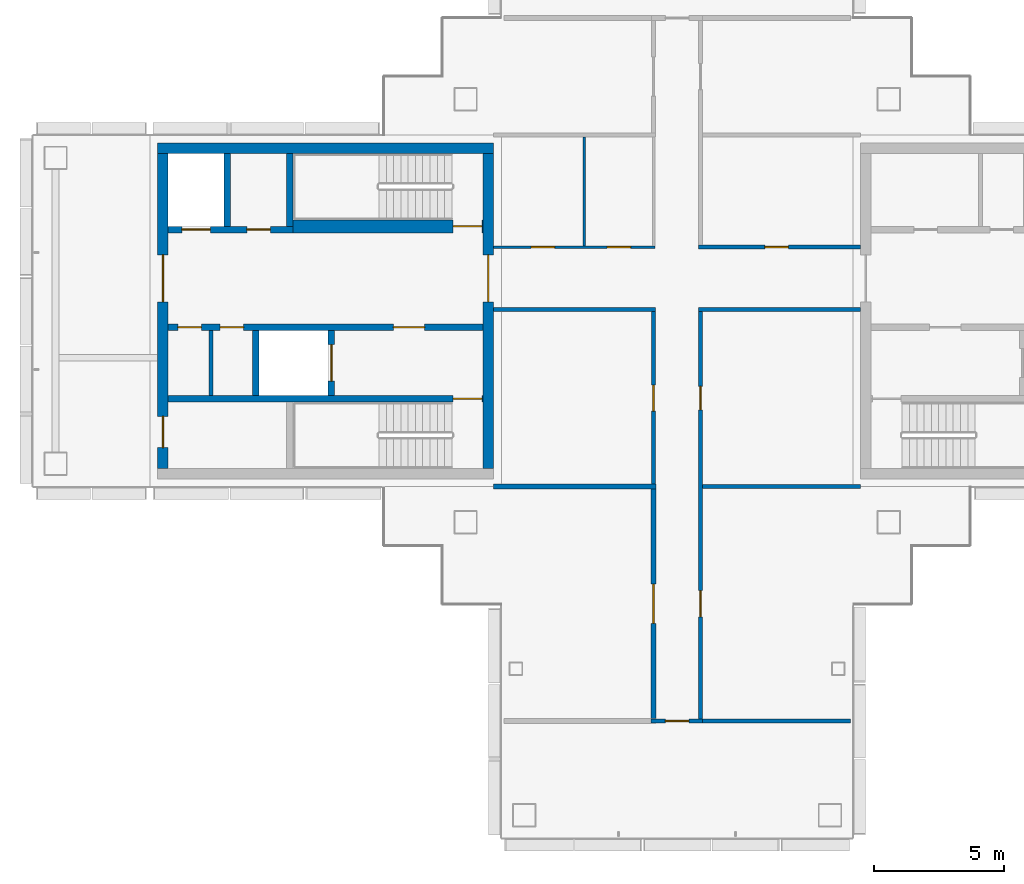
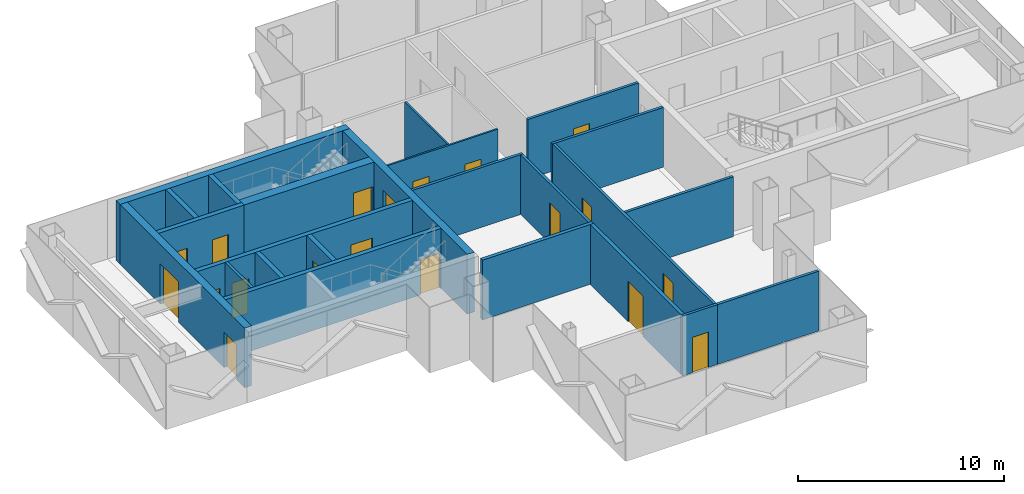
# One storey, part 9 of 17: 24 walls, 19 doors, 19 openings.
"""IFC4 building model written with IfcOpenShell, lengths in metres."""

from ifc_helpers import new_model, si_unit, direction, frame, frame_2d, origin, place, context, subcontext, project, spatial, rectangle, extrude, material, layer, layer_set, type_object, element, fill, save


model = new_model("IFC4")

# Units and contexts
model_context = context("Model", 3, precision=1e-05, world=origin(), true_north=direction((0.0, 1.0)))
body_context = subcontext(model_context, "Body", "Model", "MODEL_VIEW")
ifc_project = project(units=[si_unit("LENGTHUNIT", "METRE"), si_unit("AREAUNIT", "SQUARE_METRE"), si_unit("VOLUMEUNIT", "CUBIC_METRE"), si_unit("PLANEANGLEUNIT", "RADIAN"), si_unit("MASSUNIT", "GRAM", prefix="KILO")], contexts=[model_context])

# Site, building, storey
site_placement = place(None, origin())
site = spatial("IfcSite", under=ifc_project, at=site_placement, CompositionType="ELEMENT")
building_placement = place(site_placement, origin())
building = spatial("IfcBuilding", under=site, at=building_placement, Name="Shamsa Quay Exchange Towers", CompositionType="ELEMENT")
storey_placement = place(building_placement, frame((0.0, 0.0, 238.199951171875)))
storey = spatial("IfcBuildingStorey", under=building, at=storey_placement, Name="L57", CompositionType="ELEMENT", Elevation=238.199951171875)

# Wall, opening, door
ifc_material_1 = material(Name="Double-leaf gypsum board partition with acoustic insulation")
ifc_layer_1 = layer(ifc_material_1, 0.199951171875)
ifc_layer_set_1 = layer_set([ifc_layer_1], Name="Acoustic partition 200 mm EI 60")
wall_type_1 = type_object("IfcWallType", Name="Acoustic partition 200 mm EI 60", PredefinedType="PARTITIONING", material=ifc_layer_set_1)
wall_1_placement = place(storey_placement, frame((-34.650390625, -15.64990234375, 0.0), z_axis=(0.0, 0.0, 1.0), x_axis=(0.0, 1.0, 0.0)))
wall_1 = element("IfcWall", 1, at=wall_1_placement, inside=storey, type_object=wall_type_1, Name="Partition T1-R25-W11", PredefinedType="PARTITIONING", context=body_context, shape_type="SweptSolid", body=[
    extrude(rectangle(XDim=8.7998046875, YDim=0.199951171875, at=frame_2d((4.39990234375, 0.0))), origin(), (0.0, 0.0, 1.0), 3.550048828125),
])
opening_1_placement = place(wall_1_placement, frame((3.64990234375, 0.0, 0.0)))
opening_1 = element("IfcOpeningElement", 2, at=opening_1_placement, cuts=wall_1, Name="Opening T1-R25-D03", PredefinedType="OPENING", context=body_context, shape_type="SweptSolid", body=[
    extrude(rectangle(XDim=1.5, YDim=2.39990234375, at=frame_2d((0.75, 1.199951171875))), frame((0.0, 0.10986328125, 0.0), z_axis=(0.0, -1.0, 0.0), x_axis=(1.0, 0.0, 0.0)), (0.0, 0.0, 1.0), 0.219970703125),
])
ifc_material_2 = material(Name="Timber door leaf in a metal frame", Category="wood")
door_type_1 = type_object("IfcDoorType", Name="Door 1500x2400 FD30S pair", OperationType="NOTDEFINED", PredefinedType="DOOR", material=ifc_material_2)
door_1_placement = place(opening_1_placement, origin())
door_1 = element("IfcDoor", 3, at=door_1_placement, inside=storey, type_object=door_type_1, Name="Door T1-R25-D03", OperationType="DOUBLE_DOOR_SINGLE_SWING", OverallHeight=2.39990234375, OverallWidth=1.5, PredefinedType="DOOR", context=body_context, shape_type="SweptSolid", body=[
    extrude(rectangle(XDim=1.5, YDim=2.39990234375, at=frame_2d((0.75, 1.199951171875))), frame((0.0, 0.02490234375, 0.0), z_axis=(0.0, -1.0, 0.0), x_axis=(1.0, 0.0, 0.0)), (0.0, 0.0, 1.0), 0.050048828125),
])
fill(opening_1, door_1)

# Walls
wall_2_placement = place(storey_placement, frame((-40.800048828125, -6.75, 0.0)))
element("IfcWall", 4, at=wall_2_placement, inside=storey, type_object=wall_type_1, Name="Partition T1-R25-W17", PredefinedType="PARTITIONING", context=body_context, shape_type="SweptSolid", body=[
    extrude(rectangle(XDim=6.249755859375, YDim=0.199951171875, at=frame_2d((3.125, 0.0))), origin(), (0.0, 0.0, 1.0), 3.550048828125),
])
ifc_material_3 = material(Name="Concrete C60/75", Category="concrete")
ifc_layer_2 = layer(ifc_material_3, 0.39990234375)
ifc_layer_set_2 = layer_set([ifc_layer_2], Name="CORE WALL 400 C60/75")
wall_type_2 = type_object("IfcWallType", Name="CORE WALL 400 C60/75", PredefinedType="SHEAR", material=ifc_layer_set_2)
wall_3_placement = place(storey_placement, frame((-40.800048828125, 6.25, 0.0), z_axis=(0.0, 0.0, 1.0), x_axis=(-1.0, 0.0, 0.0)))
element("IfcWall", 5, at=wall_3_placement, inside=storey, type_object=wall_type_2, Name="Core wall T1B-R25-PN", PredefinedType="SHEAR", context=body_context, shape_type="SweptSolid", body=[
    extrude(rectangle(XDim=12.89990234375, YDim=0.39990234375, at=frame_2d((6.449951171875, 0.0))), origin(), (0.0, 0.0, 1.0), 3.550048828125),
])

# Wall, opening, door
wall_4_placement = place(storey_placement, frame((-41.0, -6.050048828125, 0.0), z_axis=(0.0, 0.0, 1.0), x_axis=(0.0, 1.0, 0.0)))
wall_4 = element("IfcWall", 6, at=wall_4_placement, inside=storey, type_object=wall_type_2, Name="Core wall T1B-R25-PF", PredefinedType="SHEAR", context=body_context, shape_type="SweptSolid", body=[
    extrude(rectangle(XDim=12.10009765625, YDim=0.39990234375, at=frame_2d((6.050048828125, 0.0))), origin(), (0.0, 0.0, 1.0), 3.550048828125),
])
opening_2_placement = place(wall_4_placement, frame((6.39990234375, 0.0, 0.0)))
opening_2 = element("IfcOpeningElement", 7, at=opening_2_placement, cuts=wall_4, Name="Opening T1B-R25-LBD01", PredefinedType="OPENING", context=body_context, shape_type="SweptSolid", body=[
    extrude(rectangle(XDim=1.800048828125, YDim=2.39990234375, at=frame_2d((0.89990234375, 1.199951171875))), frame((0.0, 0.2099609375, 0.0), z_axis=(0.0, -1.0, 0.0), x_axis=(1.0, 0.0, 0.0)), (0.0, 0.0, 1.0), 0.419921875),
])
ifc_material_4 = material(Name="Steel, fire rated", Category="steel")
door_type_2 = type_object("IfcDoorType", Name="LIFT LOBBY DOOR PAIR 1800", OperationType="DOUBLE_DOOR_SINGLE_SWING", PredefinedType="DOOR", material=ifc_material_4)
door_2_placement = place(opening_2_placement, origin())
door_2 = element("IfcDoor", 8, at=door_2_placement, inside=storey, type_object=door_type_2, Name="T1B-R25-LBD01", OperationType="DOUBLE_DOOR_SINGLE_SWING", OverallHeight=2.39990234375, OverallWidth=1.800048828125, PredefinedType="DOOR", context=body_context, shape_type="SweptSolid", body=[
    extrude(rectangle(XDim=1.800048828125, YDim=2.39990234375, at=frame_2d((0.89990234375, 1.199951171875))), frame((0.0, 0.02490234375, 0.0), z_axis=(0.0, -1.0, 0.0), x_axis=(1.0, 0.0, 0.0)), (0.0, 0.0, 1.0), 0.050048828125),
])
fill(opening_2, door_2)

# Wall, openings, doors
wall_5_placement = place(storey_placement, frame((-53.5, -6.050048828125, 0.0), z_axis=(0.0, 0.0, 1.0), x_axis=(0.0, 1.0, 0.0)))
wall_5 = element("IfcWall", 9, at=wall_5_placement, inside=storey, type_object=wall_type_2, Name="Core wall T1B-R25-PB", PredefinedType="SHEAR", context=body_context, shape_type="SweptSolid", body=[
    extrude(rectangle(XDim=12.10009765625, YDim=0.39990234375, at=frame_2d((6.050048828125, 0.0))), origin(), (0.0, 0.0, 1.0), 3.550048828125),
])
opening_3_placement = place(wall_5_placement, frame((0.800048828125, 0.0, 0.0)))
opening_3 = element("IfcOpeningElement", 10, at=opening_3_placement, cuts=wall_5, Name="Opening T1B-R25-RD02", PredefinedType="OPENING", context=body_context, shape_type="SweptSolid", body=[
    extrude(rectangle(XDim=1.199951171875, YDim=2.10009765625, at=frame_2d((0.60009765625, 1.050048828125))), frame((0.0, 0.2099609375, 0.0), z_axis=(0.0, -1.0, 0.0), x_axis=(1.0, 0.0, 0.0)), (0.0, 0.0, 1.0), 0.419921875),
])
opening_4_placement = place(wall_5_placement, frame((6.39990234375, 0.0, 0.0)))
opening_4 = element("IfcOpeningElement", 11, at=opening_4_placement, cuts=wall_5, Name="Opening T1B-R25-LBD03", PredefinedType="OPENING", context=body_context, shape_type="SweptSolid", body=[
    extrude(rectangle(XDim=1.800048828125, YDim=2.39990234375, at=frame_2d((0.89990234375, 1.199951171875))), frame((0.0, 0.2099609375, 0.0), z_axis=(0.0, -1.0, 0.0), x_axis=(1.0, 0.0, 0.0)), (0.0, 0.0, 1.0), 0.419921875),
])
door_3_placement = place(opening_4_placement, origin())
door_3 = element("IfcDoor", 12, at=door_3_placement, inside=storey, type_object=door_type_2, Name="T1B-R25-LBD03", OperationType="DOUBLE_DOOR_SINGLE_SWING", OverallHeight=2.39990234375, OverallWidth=1.800048828125, PredefinedType="DOOR", context=body_context, shape_type="SweptSolid", body=[
    extrude(rectangle(XDim=1.800048828125, YDim=2.39990234375, at=frame_2d((0.89990234375, 1.199951171875))), frame((0.0, 0.02490234375, 0.0), z_axis=(0.0, -1.0, 0.0), x_axis=(1.0, 0.0, 0.0)), (0.0, 0.0, 1.0), 0.050048828125),
])
fill(opening_4, door_3)
door_type_3 = type_object("IfcDoorType", Name="RISER ACCESS DOOR 1200", OperationType="SINGLE_SWING_LEFT", PredefinedType="DOOR", material=ifc_material_4)
door_4_placement = place(opening_3_placement, origin())
door_4 = element("IfcDoor", 13, at=door_4_placement, inside=storey, type_object=door_type_3, Name="T1B-R25-RD02", OperationType="SINGLE_SWING_LEFT", OverallHeight=2.10009765625, OverallWidth=1.199951171875, PredefinedType="DOOR", context=body_context, shape_type="SweptSolid", body=[
    extrude(rectangle(XDim=1.199951171875, YDim=2.10009765625, at=frame_2d((0.60009765625, 1.050048828125))), frame((0.0, 0.02490234375, 0.0), z_axis=(0.0, -1.0, 0.0), x_axis=(1.0, 0.0, 0.0)), (0.0, 0.0, 1.0), 0.050048828125),
])
fill(opening_3, door_4)

# Wall
ifc_material_5 = material(Name="Gypsum board on steel studs, EI 60", Category="steel")
ifc_layer_3 = layer(ifc_material_5, 0.14990234375)
ifc_layer_set_3 = layer_set([ifc_layer_3], Name="FIRE PARTITION 150")
wall_type_3 = type_object("IfcWallType", Name="FIRE PARTITION 150", PredefinedType="PARTITIONING", material=ifc_layer_set_3)
wall_6_placement = place(storey_placement, frame((-51.64990234375, -3.25, 0.0), z_axis=(0.0, 0.0, 1.0), x_axis=(0.0, 1.0, 0.0)))
element("IfcWall", 14, at=wall_6_placement, inside=storey, type_object=wall_type_3, Name="Partition T1B-R25-EC0", PredefinedType="PARTITIONING", context=body_context, shape_type="SweptSolid", body=[
    extrude(rectangle(XDim=2.5, YDim=0.14990234375, at=frame_2d((1.25, 0.0))), origin(), (0.0, 0.0, 1.0), 3.550048828125),
])

# Wall, openings, doors
ifc_material_6 = material(Name="Gypsum board partition on metal studs")
ifc_layer_4 = layer(ifc_material_6, 0.10009765625)
ifc_layer_set_4 = layer_set([ifc_layer_4], Name="Partition 100 mm NOT RATED")
wall_type_4 = type_object("IfcWallType", Name="Partition 100 mm NOT RATED", PredefinedType="PARTITIONING", material=ifc_layer_set_4)
wall_7_placement = place(storey_placement, frame((-40.800048828125, 2.4501953125, 0.0)))
wall_7 = element("IfcWall", 15, at=wall_7_placement, inside=storey, type_object=wall_type_4, Name="Partition T1-R25-W06", PredefinedType="PARTITIONING", context=body_context, shape_type="SweptSolid", body=[
    extrude(rectangle(XDim=6.19970703125, YDim=0.10009765625, at=frame_2d((3.099853515625, 0.0))), origin(), (0.0, 0.0, 1.0), 3.550048828125),
])
opening_5_placement = place(wall_7_placement, frame((1.44384765625, 0.0, 0.0)))
opening_5 = element("IfcOpeningElement", 16, at=opening_5_placement, cuts=wall_7, Name="Opening T1-R25-D01", PredefinedType="OPENING", context=body_context, shape_type="SweptSolid", body=[
    extrude(rectangle(XDim=0.89990234375, YDim=2.10009765625, at=frame_2d((0.449951171875, 1.050048828125))), frame((0.0, 0.06005859375, 0.0), z_axis=(0.0, -1.0, 0.0), x_axis=(1.0, 0.0, 0.0)), (0.0, 0.0, 1.0), 0.1201171875),
])
opening_6_placement = place(wall_7_placement, frame((4.368408203125, 0.0, 0.0)))
opening_6 = element("IfcOpeningElement", 17, at=opening_6_placement, cuts=wall_7, Name="Opening T1-R25-D02", PredefinedType="OPENING", context=body_context, shape_type="SweptSolid", body=[
    extrude(rectangle(XDim=0.89990234375, YDim=2.10009765625, at=frame_2d((0.449951171875, 1.050048828125))), frame((0.0, 0.06005859375, 0.0), z_axis=(0.0, -1.0, 0.0), x_axis=(1.0, 0.0, 0.0)), (0.0, 0.0, 1.0), 0.1201171875),
])
door_type_4 = type_object("IfcDoorType", Name="Door 900x2100 NOT RATED", OperationType="NOTDEFINED", PredefinedType="DOOR", material=ifc_material_2)
door_5_placement = place(opening_5_placement, origin())
door_5 = element("IfcDoor", 18, at=door_5_placement, inside=storey, type_object=door_type_4, Name="Door T1-R25-D01", OperationType="SINGLE_SWING_LEFT", OverallHeight=2.10009765625, OverallWidth=0.89990234375, PredefinedType="DOOR", context=body_context, shape_type="SweptSolid", body=[
    extrude(rectangle(XDim=0.89990234375, YDim=2.10009765625, at=frame_2d((0.449951171875, 1.050048828125))), frame((0.0, 0.02490234375, 0.0), z_axis=(0.0, -1.0, 0.0), x_axis=(1.0, 0.0, 0.0)), (0.0, 0.0, 1.0), 0.050048828125),
])
fill(opening_5, door_5)
door_6_placement = place(opening_6_placement, origin())
door_6 = element("IfcDoor", 19, at=door_6_placement, inside=storey, type_object=door_type_4, Name="Door T1-R25-D02", OperationType="SINGLE_SWING_LEFT", OverallHeight=2.10009765625, OverallWidth=0.89990234375, PredefinedType="DOOR", context=body_context, shape_type="SweptSolid", body=[
    extrude(rectangle(XDim=0.89990234375, YDim=2.10009765625, at=frame_2d((0.449951171875, 1.050048828125))), frame((0.0, 0.02490234375, 0.0), z_axis=(0.0, -1.0, 0.0), x_axis=(1.0, 0.0, 0.0)), (0.0, 0.0, 1.0), 0.050048828125),
])
fill(opening_6, door_6)

# Wall
wall_8_placement = place(storey_placement, frame((-37.3125, 2.500244140625, 0.0), z_axis=(0.0, 0.0, 1.0), x_axis=(0.0, 1.0, 0.0)))
element("IfcWall", 20, at=wall_8_placement, inside=storey, type_object=wall_type_4, Name="Partition T1-R25-W16", PredefinedType="PARTITIONING", context=body_context, shape_type="SweptSolid", body=[
    extrude(rectangle(XDim=4.1748046875, YDim=0.10009765625, at=frame_2d((2.08740234375, 0.0))), origin(), (0.0, 0.0, 1.0), 3.550048828125),
])

# Wall, openings, doors
ifc_layer_5 = layer(ifc_material_6, 0.14990234375)
ifc_layer_set_5 = layer_set([ifc_layer_5], Name="Partition 150 mm EI 60")
wall_type_5 = type_object("IfcWallType", Name="Partition 150 mm EI 60", PredefinedType="PARTITIONING", material=ifc_layer_set_5)
wall_9_placement = place(storey_placement, frame((-32.849609375, -0.025146484375, 0.0), z_axis=(0.0, 0.0, 1.0), x_axis=(0.0, -1.0, 0.0)))
wall_9 = element("IfcWall", 21, at=wall_9_placement, inside=storey, type_object=wall_type_5, Name="Partition T1-R25-W02", PredefinedType="PARTITIONING", context=body_context, shape_type="SweptSolid", body=[
    extrude(rectangle(XDim=15.64990234375, YDim=0.14990234375, at=frame_2d((7.824951171875, 0.0))), origin(), (0.0, 0.0, 1.0), 3.550048828125),
])
opening_7_placement = place(wall_9_placement, frame((2.875, 0.0, 0.0)))
opening_7 = element("IfcOpeningElement", 22, at=opening_7_placement, cuts=wall_9, Name="Opening T1-R25-D08", PredefinedType="OPENING", context=body_context, shape_type="SweptSolid", body=[
    extrude(rectangle(XDim=0.89990234375, YDim=2.10009765625, at=frame_2d((0.449951171875, 1.050048828125))), frame((0.0, 0.0849609375, 0.0), z_axis=(0.0, -1.0, 0.0), x_axis=(1.0, 0.0, 0.0)), (0.0, 0.0, 1.0), 0.169921875),
])
opening_8_placement = place(wall_9_placement, frame((10.724853515625, 0.0, 0.0)))
opening_8 = element("IfcOpeningElement", 23, at=opening_8_placement, cuts=wall_9, Name="Opening T1-R25-D09", PredefinedType="OPENING", context=body_context, shape_type="SweptSolid", body=[
    extrude(rectangle(XDim=1.0, YDim=2.39990234375, at=frame_2d((0.5, 1.199951171875))), frame((0.0, 0.0849609375, 0.0), z_axis=(0.0, -1.0, 0.0), x_axis=(1.0, 0.0, 0.0)), (0.0, 0.0, 1.0), 0.169921875),
])
door_type_5 = type_object("IfcDoorType", Name="Door 1000x2400 FD30S", OperationType="NOTDEFINED", PredefinedType="DOOR", material=ifc_material_2)
door_7_placement = place(opening_8_placement, origin())
door_7 = element("IfcDoor", 24, at=door_7_placement, inside=storey, type_object=door_type_5, Name="Door T1-R25-D09", OperationType="SINGLE_SWING_LEFT", OverallHeight=2.39990234375, OverallWidth=1.0, PredefinedType="DOOR", context=body_context, shape_type="SweptSolid", body=[
    extrude(rectangle(XDim=1.0, YDim=2.39990234375, at=frame_2d((0.5, 1.199951171875))), frame((0.0, 0.02490234375, 0.0), z_axis=(0.0, -1.0, 0.0), x_axis=(1.0, 0.0, 0.0)), (0.0, 0.0, 1.0), 0.050048828125),
])
fill(opening_8, door_7)
door_type_6 = type_object("IfcDoorType", Name="Door 900x2100 FD30S", OperationType="NOTDEFINED", PredefinedType="DOOR", material=ifc_material_2)
door_8_placement = place(opening_7_placement, origin())
door_8 = element("IfcDoor", 25, at=door_8_placement, inside=storey, type_object=door_type_6, Name="Door T1-R25-D08", OperationType="SINGLE_SWING_RIGHT", OverallHeight=2.10009765625, OverallWidth=0.89990234375, PredefinedType="DOOR", context=body_context, shape_type="SweptSolid", body=[
    extrude(rectangle(XDim=0.89990234375, YDim=2.10009765625, at=frame_2d((0.449951171875, 1.050048828125))), frame((0.0, 0.02490234375, 0.0), z_axis=(0.0, -1.0, 0.0), x_axis=(1.0, 0.0, 0.0)), (0.0, 0.0, 1.0), 0.050048828125),
])
fill(opening_7, door_8)

# Wall, opening, door
wall_10_placement = place(storey_placement, frame((-32.924560546875, 2.4501953125, 0.0)))
wall_10 = element("IfcWall", 26, at=wall_10_placement, inside=storey, type_object=wall_type_5, Name="Partition T1-R25-W03", PredefinedType="PARTITIONING", context=body_context, shape_type="SweptSolid", body=[
    extrude(rectangle(XDim=6.224609375, YDim=0.14990234375, at=frame_2d((3.1123046875, 0.0))), origin(), (0.0, 0.0, 1.0), 3.550048828125),
])
opening_9_placement = place(wall_10_placement, frame((2.5498046875, 0.0, 0.0)))
opening_9 = element("IfcOpeningElement", 27, at=opening_9_placement, cuts=wall_10, Name="Opening T1-R25-D10", PredefinedType="OPENING", context=body_context, shape_type="SweptSolid", body=[
    extrude(rectangle(XDim=0.89990234375, YDim=2.10009765625, at=frame_2d((0.449951171875, 1.050048828125))), frame((0.0, 0.0849609375, 0.0), z_axis=(0.0, -1.0, 0.0), x_axis=(1.0, 0.0, 0.0)), (0.0, 0.0, 1.0), 0.169921875),
])
door_9_placement = place(opening_9_placement, origin())
door_9 = element("IfcDoor", 28, at=door_9_placement, inside=storey, type_object=door_type_6, Name="Door T1-R25-D10", OperationType="SINGLE_SWING_RIGHT", OverallHeight=2.10009765625, OverallWidth=0.89990234375, PredefinedType="DOOR", context=body_context, shape_type="SweptSolid", body=[
    extrude(rectangle(XDim=0.89990234375, YDim=2.10009765625, at=frame_2d((0.449951171875, 1.050048828125))), frame((0.0, 0.02490234375, 0.0), z_axis=(0.0, -1.0, 0.0), x_axis=(1.0, 0.0, 0.0)), (0.0, 0.0, 1.0), 0.050048828125),
])
fill(opening_9, door_9)

# Walls
for number, where, z_axis, x_axis, name in (
    (29, (-26.699951171875, 0.0498046875, 0.0), (0.0, 0.0, 1.0), (-1.0, 0.0, 0.0), "Partition T1-R25-W04"),
    (30, (-34.575439453125, 0.0498046875, 0.0), (0.0, 0.0, 1.0), (-1.0, 0.0, 0.0), "Partition T1-R25-W05"),
):
    element("IfcWall", number, at=place(storey_placement, frame(where, z_axis=z_axis, x_axis=x_axis)), inside=storey, type_object=wall_type_5, Name=name, PredefinedType="PARTITIONING", context=body_context, shape_type="SweptSolid", body=[
        extrude(rectangle(XDim=6.224609375, YDim=0.14990234375, at=frame_2d((3.1123046875, 0.0))), origin(), (0.0, 0.0, 1.0), 3.550048828125),
    ])

# Wall, opening, door
wall_11_placement = place(storey_placement, frame((-34.650390625, -6.64990234375, 0.0), z_axis=(0.0, 0.0, 1.0), x_axis=(0.0, 1.0, 0.0)))
wall_11 = element("IfcWall", 31, at=wall_11_placement, inside=storey, type_object=wall_type_5, Name="Partition T1-R25-W08", PredefinedType="PARTITIONING", context=body_context, shape_type="SweptSolid", body=[
    extrude(rectangle(XDim=6.624755859375, YDim=0.14990234375, at=frame_2d((3.3125, 0.0))), origin(), (0.0, 0.0, 1.0), 3.550048828125),
])
opening_10_placement = place(wall_11_placement, frame((2.7998046875, 0.0, 0.0)))
opening_10 = element("IfcOpeningElement", 32, at=opening_10_placement, cuts=wall_11, Name="Opening T1-R25-D04", PredefinedType="OPENING", context=body_context, shape_type="SweptSolid", body=[
    extrude(rectangle(XDim=1.0, YDim=2.39990234375, at=frame_2d((0.5, 1.199951171875))), frame((0.0, 0.0849609375, 0.0), z_axis=(0.0, -1.0, 0.0), x_axis=(1.0, 0.0, 0.0)), (0.0, 0.0, 1.0), 0.169921875),
])
door_10_placement = place(opening_10_placement, origin())
door_10 = element("IfcDoor", 33, at=door_10_placement, inside=storey, type_object=door_type_5, Name="Door T1-R25-D04", OperationType="SINGLE_SWING_LEFT", OverallHeight=2.39990234375, OverallWidth=1.0, PredefinedType="DOOR", context=body_context, shape_type="SweptSolid", body=[
    extrude(rectangle(XDim=1.0, YDim=2.39990234375, at=frame_2d((0.5, 1.199951171875))), frame((0.0, 0.02490234375, 0.0), z_axis=(0.0, -1.0, 0.0), x_axis=(1.0, 0.0, 0.0)), (0.0, 0.0, 1.0), 0.050048828125),
])
fill(opening_10, door_10)

wall_12_placement = place(storey_placement, frame((-32.774658203125, -15.75, 0.0), z_axis=(0.0, 0.0, 1.0), x_axis=(-1.0, 0.0, 0.0)))
wall_12 = element("IfcWall", 34, at=wall_12_placement, inside=storey, type_object=wall_type_5, Name="Partition T1-R25-W12", PredefinedType="PARTITIONING", context=body_context, shape_type="SweptSolid", body=[
    extrude(rectangle(XDim=1.975830078125, YDim=0.14990234375, at=frame_2d((0.98779296875, 0.0))), origin(), (0.0, 0.0, 1.0), 3.550048828125),
])
opening_11_placement = place(wall_12_placement, frame((0.525390625, 0.0, 0.0)))
opening_11 = element("IfcOpeningElement", 35, at=opening_11_placement, cuts=wall_12, Name="Opening T1-R25-D07", PredefinedType="OPENING", context=body_context, shape_type="SweptSolid", body=[
    extrude(rectangle(XDim=0.89990234375, YDim=2.10009765625, at=frame_2d((0.449951171875, 1.050048828125))), frame((0.0, 0.0849609375, 0.0), z_axis=(0.0, -1.0, 0.0), x_axis=(1.0, 0.0, 0.0)), (0.0, 0.0, 1.0), 0.169921875),
])
door_11_placement = place(opening_11_placement, origin())
door_11 = element("IfcDoor", 36, at=door_11_placement, inside=storey, type_object=door_type_6, Name="Door T1-R25-D07", OperationType="SINGLE_SWING_LEFT", OverallHeight=2.10009765625, OverallWidth=0.89990234375, PredefinedType="DOOR", context=body_context, shape_type="SweptSolid", body=[
    extrude(rectangle(XDim=0.89990234375, YDim=2.10009765625, at=frame_2d((0.449951171875, 1.050048828125))), frame((0.0, 0.02490234375, 0.0), z_axis=(0.0, -1.0, 0.0), x_axis=(1.0, 0.0, 0.0)), (0.0, 0.0, 1.0), 0.050048828125),
])
fill(opening_11, door_11)

# Walls
wall_13_placement = place(storey_placement, frame((-32.774658203125, -6.75, 0.0)))
element("IfcWall", 37, at=wall_13_placement, inside=storey, type_object=wall_type_5, Name="Partition T1-R25-W15", PredefinedType="PARTITIONING", context=body_context, shape_type="SweptSolid", body=[
    extrude(rectangle(XDim=6.07470703125, YDim=0.14990234375, at=frame_2d((3.037353515625, 0.0))), origin(), (0.0, 0.0, 1.0), 3.550048828125),
])
wall_14_placement = place(storey_placement, frame((-32.924560546875, -15.75, 0.0)))
element("IfcWall", 38, at=wall_14_placement, inside=storey, type_object=wall_type_5, Name="Partition T1-R25-W20", PredefinedType="PARTITIONING", context=body_context, shape_type="SweptSolid", body=[
    extrude(rectangle(XDim=5.82958984375, YDim=0.14990234375, at=frame_2d((2.914794921875, 0.0))), origin(), (0.0, 0.0, 1.0), 3.550048828125),
])

# Wall, opening, door
ifc_material_7 = material(Name="Concrete C50/60", Category="concrete")
ifc_layer_6 = layer(ifc_material_7, 0.25)
ifc_layer_set_6 = layer_set([ifc_layer_6], Name="SHAFT WALL 250 C50/60")
wall_type_6 = type_object("IfcWallType", Name="SHAFT WALL 250 C50/60", PredefinedType="SHEAR", material=ifc_layer_set_6)
wall_15_placement = place(storey_placement, frame((-41.199951171875, -3.375, 0.0), z_axis=(0.0, 0.0, 1.0), x_axis=(-1.0, 0.0, 0.0)))
wall_15 = element("IfcWall", 39, at=wall_15_placement, inside=storey, type_object=wall_type_6, Name="Shaft wall T1B-R25-STL", PredefinedType="SHEAR", context=body_context, shape_type="SweptSolid", body=[
    extrude(rectangle(XDim=12.10009765625, YDim=0.25, at=frame_2d((6.050048828125, 0.0))), origin(), (0.0, 0.0, 1.0), 3.550048828125),
])
opening_12_placement = place(wall_15_placement, frame((0.050048828125, 0.0, 0.0)))
opening_12 = element("IfcOpeningElement", 40, at=opening_12_placement, cuts=wall_15, Name="Opening T1B-R25-SD04", PredefinedType="OPENING", context=body_context, shape_type="SweptSolid", body=[
    extrude(rectangle(XDim=1.10009765625, YDim=2.10009765625, at=frame_2d((0.550048828125, 1.050048828125))), frame((0.0, 0.135009765625, 0.0), z_axis=(0.0, -1.0, 0.0), x_axis=(1.0, 0.0, 0.0)), (0.0, 0.0, 1.0), 0.27001953125),
])
door_type_7 = type_object("IfcDoorType", Name="STAIR DOOR 1100", OperationType="SINGLE_SWING_LEFT", PredefinedType="DOOR", material=ifc_material_4)
door_12_placement = place(opening_12_placement, origin())
door_12 = element("IfcDoor", 41, at=door_12_placement, inside=storey, type_object=door_type_7, Name="T1B-R25-SD04", OperationType="SINGLE_SWING_LEFT", OverallHeight=2.10009765625, OverallWidth=1.10009765625, PredefinedType="DOOR", context=body_context, shape_type="SweptSolid", body=[
    extrude(rectangle(XDim=1.10009765625, YDim=2.10009765625, at=frame_2d((0.550048828125, 1.050048828125))), frame((0.0, 0.02490234375, 0.0), z_axis=(0.0, -1.0, 0.0), x_axis=(1.0, 0.0, 0.0)), (0.0, 0.0, 1.0), 0.050048828125),
])
fill(opening_12, door_12)

# Wall, openings, doors
wall_16_placement = place(storey_placement, frame((-41.199951171875, -0.625, 0.0), z_axis=(0.0, 0.0, 1.0), x_axis=(-1.0, 0.0, 0.0)))
wall_16 = element("IfcWall", 42, at=wall_16_placement, inside=storey, type_object=wall_type_6, Name="Shaft wall T1B-R25-B", PredefinedType="SHEAR", context=body_context, shape_type="SweptSolid", body=[
    extrude(rectangle(XDim=12.10009765625, YDim=0.25, at=frame_2d((6.050048828125, 0.0))), origin(), (0.0, 0.0, 1.0), 3.550048828125),
])
opening_13_placement = place(wall_16_placement, frame((2.25, 0.0, 0.0)))
opening_13 = element("IfcOpeningElement", 43, at=opening_13_placement, cuts=wall_16, Name="Opening T1B-R25-FD05", PredefinedType="OPENING", context=body_context, shape_type="SweptSolid", body=[
    extrude(rectangle(XDim=1.199951171875, YDim=2.10009765625, at=frame_2d((0.60009765625, 1.050048828125))), frame((0.0, 0.135009765625, 0.0), z_axis=(0.0, -1.0, 0.0), x_axis=(1.0, 0.0, 0.0)), (0.0, 0.0, 1.0), 0.27001953125),
])
opening_14_placement = place(wall_16_placement, frame((9.199951171875, 0.0, 0.0)))
opening_14 = element("IfcOpeningElement", 44, at=opening_14_placement, cuts=wall_16, Name="Opening T1B-R25-SV06", PredefinedType="OPENING", context=body_context, shape_type="SweptSolid", body=[
    extrude(rectangle(XDim=0.89990234375, YDim=2.10009765625, at=frame_2d((0.449951171875, 1.050048828125))), frame((0.0, 0.135009765625, 0.0), z_axis=(0.0, -1.0, 0.0), x_axis=(1.0, 0.0, 0.0)), (0.0, 0.0, 1.0), 0.27001953125),
])
opening_15_placement = place(wall_16_placement, frame((10.824951171875, 0.0, 0.0)))
opening_15 = element("IfcOpeningElement", 45, at=opening_15_placement, cuts=wall_16, Name="Opening T1B-R25-SV07", PredefinedType="OPENING", context=body_context, shape_type="SweptSolid", body=[
    extrude(rectangle(XDim=0.89990234375, YDim=2.10009765625, at=frame_2d((0.449951171875, 1.050048828125))), frame((0.0, 0.135009765625, 0.0), z_axis=(0.0, -1.0, 0.0), x_axis=(1.0, 0.0, 0.0)), (0.0, 0.0, 1.0), 0.27001953125),
])
door_type_8 = type_object("IfcDoorType", Name="FIRE SERVICE LOBBY DOOR 1200", OperationType="SINGLE_SWING_LEFT", PredefinedType="DOOR", material=ifc_material_4)
door_13_placement = place(opening_13_placement, origin())
door_13 = element("IfcDoor", 46, at=door_13_placement, inside=storey, type_object=door_type_8, Name="T1B-R25-FD05", OperationType="SINGLE_SWING_LEFT", OverallHeight=2.10009765625, OverallWidth=1.199951171875, PredefinedType="DOOR", context=body_context, shape_type="SweptSolid", body=[
    extrude(rectangle(XDim=1.199951171875, YDim=2.10009765625, at=frame_2d((0.60009765625, 1.050048828125))), frame((0.0, 0.02490234375, 0.0), z_axis=(0.0, -1.0, 0.0), x_axis=(1.0, 0.0, 0.0)), (0.0, 0.0, 1.0), 0.050048828125),
])
fill(opening_13, door_13)
door_type_9 = type_object("IfcDoorType", Name="SERVICE ROOM DOOR 900", OperationType="SINGLE_SWING_LEFT", PredefinedType="DOOR", material=ifc_material_4)
door_14_placement = place(opening_14_placement, origin())
door_14 = element("IfcDoor", 47, at=door_14_placement, inside=storey, type_object=door_type_9, Name="T1B-R25-SV06", OperationType="SINGLE_SWING_RIGHT", OverallHeight=2.10009765625, OverallWidth=0.89990234375, PredefinedType="DOOR", context=body_context, shape_type="SweptSolid", body=[
    extrude(rectangle(XDim=0.89990234375, YDim=2.10009765625, at=frame_2d((0.449951171875, 1.050048828125))), frame((0.0, 0.02490234375, 0.0), z_axis=(0.0, -1.0, 0.0), x_axis=(1.0, 0.0, 0.0)), (0.0, 0.0, 1.0), 0.050048828125),
])
fill(opening_14, door_14)
door_15_placement = place(opening_15_placement, origin())
door_15 = element("IfcDoor", 48, at=door_15_placement, inside=storey, type_object=door_type_9, Name="T1B-R25-SV07", OperationType="SINGLE_SWING_RIGHT", OverallHeight=2.10009765625, OverallWidth=0.89990234375, PredefinedType="DOOR", context=body_context, shape_type="SweptSolid", body=[
    extrude(rectangle(XDim=0.89990234375, YDim=2.10009765625, at=frame_2d((0.449951171875, 1.050048828125))), frame((0.0, 0.02490234375, 0.0), z_axis=(0.0, -1.0, 0.0), x_axis=(1.0, 0.0, 0.0)), (0.0, 0.0, 1.0), 0.050048828125),
])
fill(opening_15, door_15)

# Wall, opening, door
wall_17_placement = place(storey_placement, frame((-47.02490234375, -3.25, 0.0), z_axis=(0.0, 0.0, 1.0), x_axis=(0.0, 1.0, 0.0)))
wall_17 = element("IfcWall", 49, at=wall_17_placement, inside=storey, type_object=wall_type_6, Name="Shaft wall T1B-R25-FFF", PredefinedType="SHEAR", context=body_context, shape_type="SweptSolid", body=[
    extrude(rectangle(XDim=2.5, YDim=0.25, at=frame_2d((1.25, 0.0))), origin(), (0.0, 0.0, 1.0), 3.550048828125),
])
opening_16_placement = place(wall_17_placement, frame((0.550048828125, 0.0, 0.0)))
opening_16 = element("IfcOpeningElement", 50, at=opening_16_placement, cuts=wall_17, Name="Opening T1B-R25-LDG08", PredefinedType="OPENING", context=body_context, shape_type="SweptSolid", body=[
    extrude(rectangle(XDim=1.39990234375, YDim=2.39990234375, at=frame_2d((0.699951171875, 1.199951171875))), frame((0.0, 0.135009765625, 0.0), z_axis=(0.0, -1.0, 0.0), x_axis=(1.0, 0.0, 0.0)), (0.0, 0.0, 1.0), 0.27001953125),
])
door_type_10 = type_object("IfcDoorType", Name="GOODS LIFT LANDING DOOR 1400", OperationType="SLIDING_TO_LEFT", PredefinedType="DOOR", material=ifc_material_4)
door_16_placement = place(opening_16_placement, origin())
door_16 = element("IfcDoor", 51, at=door_16_placement, inside=storey, type_object=door_type_10, Name="T1B-R25-LDG08", OperationType="SLIDING_TO_LEFT", OverallHeight=2.39990234375, OverallWidth=1.39990234375, PredefinedType="DOOR", context=body_context, shape_type="SweptSolid", body=[
    extrude(rectangle(XDim=1.39990234375, YDim=2.39990234375, at=frame_2d((0.699951171875, 1.199951171875))), frame((0.0, 0.02490234375, 0.0), z_axis=(0.0, -1.0, 0.0), x_axis=(1.0, 0.0, 0.0)), (0.0, 0.0, 1.0), 0.050048828125),
])
fill(opening_16, door_16)

# Wall
wall_18_placement = place(storey_placement, frame((-49.925048828125, -3.25, 0.0), z_axis=(0.0, 0.0, 1.0), x_axis=(0.0, 1.0, 0.0)))
element("IfcWall", 52, at=wall_18_placement, inside=storey, type_object=wall_type_6, Name="Shaft wall T1B-R25-FFB", PredefinedType="SHEAR", context=body_context, shape_type="SweptSolid", body=[
    extrude(rectangle(XDim=2.5, YDim=0.25, at=frame_2d((1.25, 0.0))), origin(), (0.0, 0.0, 1.0), 3.550048828125),
])

# Wall, openings, doors
wall_19_placement = place(storey_placement, frame((-53.300048828125, 3.125, 0.0)))
wall_19 = element("IfcWall", 53, at=wall_19_placement, inside=storey, type_object=wall_type_6, Name="Shaft wall T1B-R25-N2", PredefinedType="SHEAR", context=body_context, shape_type="SweptSolid", body=[
    extrude(rectangle(XDim=4.800048828125, YDim=0.25, at=frame_2d((2.39990234375, 0.0))), origin(), (0.0, 0.0, 1.0), 3.550048828125),
])
opening_17_placement = place(wall_19_placement, frame((0.52490234375, 0.0, 0.0)))
opening_17 = element("IfcOpeningElement", 54, at=opening_17_placement, cuts=wall_19, Name="Opening T1B-R25-LD10", PredefinedType="OPENING", context=body_context, shape_type="SweptSolid", body=[
    extrude(rectangle(XDim=1.10009765625, YDim=2.10009765625, at=frame_2d((0.550048828125, 1.050048828125))), frame((0.0, 0.135009765625, 0.0), z_axis=(0.0, -1.0, 0.0), x_axis=(1.0, 0.0, 0.0)), (0.0, 0.0, 1.0), 0.27001953125),
])
opening_18_placement = place(wall_19_placement, frame((3.02490234375, 0.0, 0.0)))
opening_18 = element("IfcOpeningElement", 55, at=opening_18_placement, cuts=wall_19, Name="Opening T1B-R25-SV11", PredefinedType="OPENING", context=body_context, shape_type="SweptSolid", body=[
    extrude(rectangle(XDim=0.89990234375, YDim=2.10009765625, at=frame_2d((0.449951171875, 1.050048828125))), frame((0.0, 0.135009765625, 0.0), z_axis=(0.0, -1.0, 0.0), x_axis=(1.0, 0.0, 0.0)), (0.0, 0.0, 1.0), 0.27001953125),
])
door_type_11 = type_object("IfcDoorType", Name="LANDING DOOR 1100", OperationType="SLIDING_TO_LEFT", PredefinedType="DOOR", material=ifc_material_4)
door_17_placement = place(opening_17_placement, origin())
door_17 = element("IfcDoor", 56, at=door_17_placement, inside=storey, type_object=door_type_11, Name="T1B-R25-LD10", OperationType="SLIDING_TO_LEFT", OverallHeight=2.10009765625, OverallWidth=1.10009765625, PredefinedType="DOOR", context=body_context, shape_type="SweptSolid", body=[
    extrude(rectangle(XDim=1.10009765625, YDim=2.10009765625, at=frame_2d((0.550048828125, 1.050048828125))), frame((0.0, 0.02490234375, 0.0), z_axis=(0.0, -1.0, 0.0), x_axis=(1.0, 0.0, 0.0)), (0.0, 0.0, 1.0), 0.050048828125),
])
fill(opening_17, door_17)
door_18_placement = place(opening_18_placement, origin())
door_18 = element("IfcDoor", 57, at=door_18_placement, inside=storey, type_object=door_type_9, Name="T1B-R25-SV11", OperationType="SINGLE_SWING_RIGHT", OverallHeight=2.10009765625, OverallWidth=0.89990234375, PredefinedType="DOOR", context=body_context, shape_type="SweptSolid", body=[
    extrude(rectangle(XDim=0.89990234375, YDim=2.10009765625, at=frame_2d((0.449951171875, 1.050048828125))), frame((0.0, 0.02490234375, 0.0), z_axis=(0.0, -1.0, 0.0), x_axis=(1.0, 0.0, 0.0)), (0.0, 0.0, 1.0), 0.050048828125),
])
fill(opening_18, door_18)

# Walls
for number, where, z_axis, x_axis, name in (
    (58, (-48.625, 3.25, 0.0), (0.0, 0.0, 1.0), (0.0, 1.0, 0.0), "Shaft wall T1B-R25-STF2"),
    (59, (-51.02490234375, 3.25, 0.0), (0.0, 0.0, 1.0), (0.0, 1.0, 0.0), "Shaft wall T1B-R25-D0"),
):
    element("IfcWall", number, at=place(storey_placement, frame(where, z_axis=z_axis, x_axis=x_axis)), inside=storey, type_object=wall_type_6, Name=name, PredefinedType="SHEAR", context=body_context, shape_type="SweptSolid", body=[
        extrude(rectangle(XDim=2.800048828125, YDim=0.25, at=frame_2d((1.39990234375, 0.0))), origin(), (0.0, 0.0, 1.0), 3.550048828125),
    ])

# Wall, opening, door
ifc_layer_7 = layer(ifc_material_7, 0.5)
ifc_layer_set_7 = layer_set([ifc_layer_7], Name="SHAFT WALL 500 C50/60")
wall_type_7 = type_object("IfcWallType", Name="SHAFT WALL 500 C50/60", PredefinedType="SHEAR", material=ifc_layer_set_7)
wall_20_placement = place(storey_placement, frame((-48.5, 3.25, 0.0)))
wall_20 = element("IfcWall", 60, at=wall_20_placement, inside=storey, type_object=wall_type_7, Name="Shaft wall T1B-R25-N", PredefinedType="SHEAR", context=body_context, shape_type="SweptSolid", body=[
    extrude(rectangle(XDim=7.300048828125, YDim=0.5, at=frame_2d((3.64990234375, 0.0))), origin(), (0.0, 0.0, 1.0), 3.550048828125),
])
opening_19_placement = place(wall_20_placement, frame((6.14990234375, 0.0, 0.0)))
opening_19 = element("IfcOpeningElement", 61, at=opening_19_placement, cuts=wall_20, Name="Opening T1B-R25-SD09", PredefinedType="OPENING", context=body_context, shape_type="SweptSolid", body=[
    extrude(rectangle(XDim=1.10009765625, YDim=2.10009765625, at=frame_2d((0.550048828125, 1.050048828125))), frame((0.0, 0.260009765625, 0.0), z_axis=(0.0, -1.0, 0.0), x_axis=(1.0, 0.0, 0.0)), (0.0, 0.0, 1.0), 0.52001953125),
])
door_19_placement = place(opening_19_placement, origin())
door_19 = element("IfcDoor", 62, at=door_19_placement, inside=storey, type_object=door_type_7, Name="T1B-R25-SD09", OperationType="SINGLE_SWING_RIGHT", OverallHeight=2.10009765625, OverallWidth=1.10009765625, PredefinedType="DOOR", context=body_context, shape_type="SweptSolid", body=[
    extrude(rectangle(XDim=1.10009765625, YDim=2.10009765625, at=frame_2d((0.550048828125, 1.050048828125))), frame((0.0, 0.02490234375, 0.0), z_axis=(0.0, -1.0, 0.0), x_axis=(1.0, 0.0, 0.0)), (0.0, 0.0, 1.0), 0.050048828125),
])
fill(opening_19, door_19)

save(model, "model.ifc")
